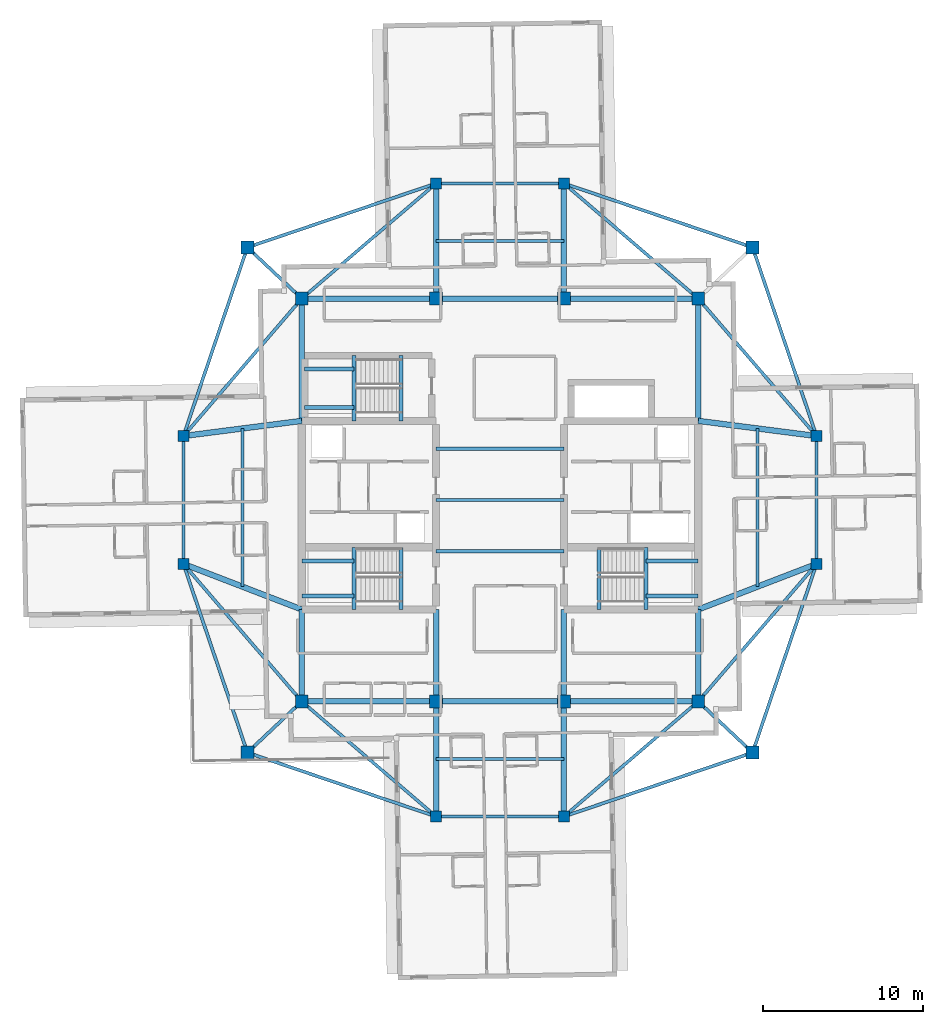
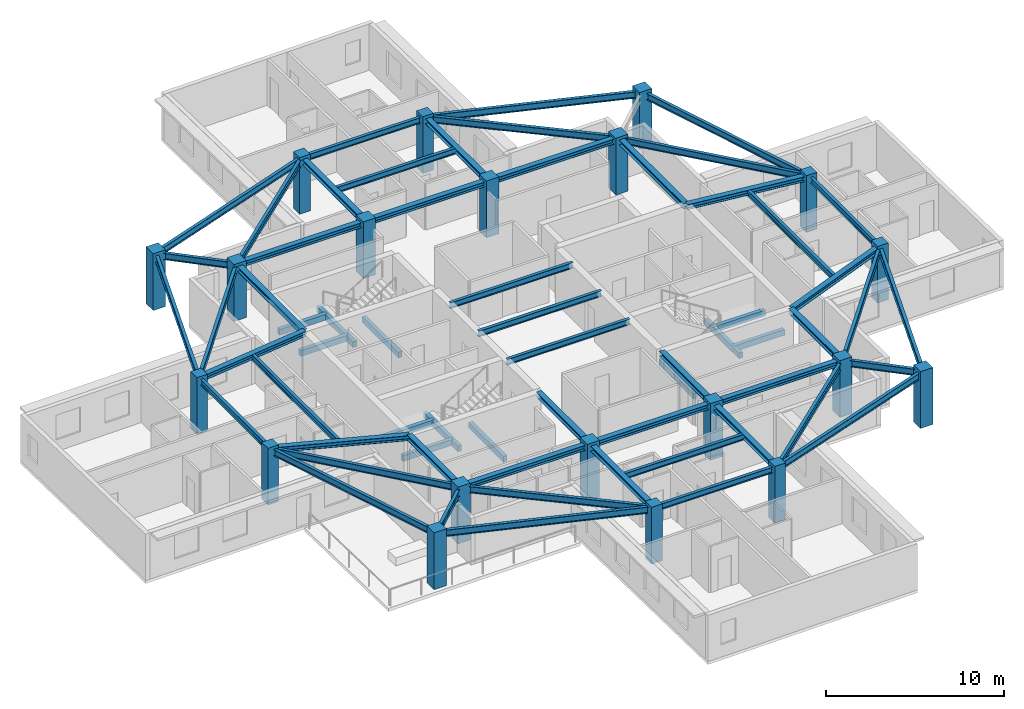
# One storey, part 1 of 12: 62 beams, 20 columns.
"""IFC4 building model written with IfcOpenShell, lengths in metres."""

from ifc_helpers import new_model, si_unit, direction, frame, origin, origin_2d, place, context, subcontext, project, spatial, rectangle, i_section, extrude, material, material_profile, profile_set, type_object, element, save


model = new_model("IFC4")

# Units and contexts
model_context = context("Model", 3, precision=1e-05, world=origin(), true_north=direction((0.0, 1.0)))
body_context = subcontext(model_context, "Body", "Model", "MODEL_VIEW")
ifc_project = project(units=[si_unit("LENGTHUNIT", "METRE"), si_unit("AREAUNIT", "SQUARE_METRE"), si_unit("VOLUMEUNIT", "CUBIC_METRE"), si_unit("PLANEANGLEUNIT", "RADIAN"), si_unit("MASSUNIT", "GRAM", prefix="KILO")], contexts=[model_context])

# Site, building, storey
site_placement = place(None, origin())
site = spatial("IfcSite", under=ifc_project, at=site_placement, CompositionType="ELEMENT")
building_placement = place(site_placement, origin())
building = spatial("IfcBuilding", under=site, at=building_placement, Name="Qingluan Cross Belvedere", CompositionType="ELEMENT")
storey_placement = place(building_placement, frame((0.0, 0.0, 269.39990234375)))
storey = spatial("IfcBuildingStorey", under=building, at=storey_placement, Name="L67", CompositionType="ELEMENT", Elevation=269.39990234375)

# Columns
ifc_material_1 = material(Name="Concrete C50", Category="concrete")
ifc_material_profile_1 = material_profile(ifc_material_1, rectangle(XDim=0.699951171875, YDim=0.699951171875, at=origin_2d()), Name="RC700x700")
ifc_profile_set_1 = profile_set([ifc_material_profile_1], Name="Concrete C50")
column_type_1 = type_object("IfcColumnType", Name="Column_RC700x700", PredefinedType="COLUMN", material=ifc_profile_set_1)
for number, where, z_axis, x_axis, name in (
    (1, (19.800048828125, -4.0, 0.0), (0.0, 0.0, 1.0), (1.0, 0.0, 0.0), "Arm column L67-EIA"),
    (2, (19.800048828125, 4.0, 0.0), (0.0, 0.0, 1.0), (1.0, 0.0, 0.0), "Arm column L67-EIB"),
    (3, (-19.800048828125, -4.0, 0.0), (0.0, 0.0, 1.0), (1.0, 0.0, 0.0), "Arm column L67-WIA"),
    (4, (-19.800048828125, 4.0, 0.0), (0.0, 0.0, 1.0), (1.0, 0.0, 0.0), "Arm column L67-WIB"),
    (5, (-4.0, -19.800048828125, 0.0), (0.0, 0.0, 1.0), (1.0, 0.0, 0.0), "Arm column L67-SIA"),
    (6, (4.0, -19.800048828125, 0.0), (0.0, 0.0, 1.0), (1.0, 0.0, 0.0), "Arm column L67-SIB"),
    (7, (-4.0, 19.800048828125, 0.0), (0.0, 0.0, 1.0), (1.0, 0.0, 0.0), "Arm column L67-NIA"),
    (8, (4.0, 19.800048828125, 0.0), (0.0, 0.0, 1.0), (1.0, 0.0, 0.0), "Arm column L67-NIB"),
):
    element("IfcColumn", number, at=place(storey_placement, frame(where, z_axis=z_axis, x_axis=x_axis)), inside=storey, type_object=column_type_1, Name=name, PredefinedType="COLUMN", context=body_context, shape_type="SweptSolid", body=[
        extrude(rectangle(XDim=0.699951171875, YDim=0.699951171875, at=origin_2d()), origin(), (0.0, 0.0, 1.0), 3.900146484375),
    ])
ifc_material_2 = material(Name="Concrete C50", Category="concrete")
ifc_material_profile_2 = material_profile(ifc_material_2, rectangle(XDim=0.800048828125, YDim=0.800048828125, at=origin_2d()), Name="RC800x800")
ifc_profile_set_2 = profile_set([ifc_material_profile_2], Name="Concrete C50")
column_type_2 = type_object("IfcColumnType", Name="Column_RC800x800", PredefinedType="COLUMN", material=ifc_profile_set_2)
for number, where, z_axis, x_axis, name in (
    (9, (15.800048828125, 15.800048828125, 0.0), (0.0, 0.0, 1.0), (1.0, 0.0, 0.0), "Corner column L67-RNE"),
    (10, (-15.800048828125, 15.800048828125, 0.0), (0.0, 0.0, 1.0), (1.0, 0.0, 0.0), "Corner column L67-RNW"),
    (11, (-15.800048828125, -15.800048828125, 0.0), (0.0, 0.0, 1.0), (1.0, 0.0, 0.0), "Corner column L67-RSW"),
    (12, (15.800048828125, -15.800048828125, 0.0), (0.0, 0.0, 1.0), (1.0, 0.0, 0.0), "Corner column L67-RSE"),
    (13, (-12.39990234375, -12.60009765625, 0.0), (0.0, 0.0, 1.0), (1.0, 0.0, 0.0), "Hub column L67-HC1"),
    (14, (12.39990234375, -12.60009765625, 0.0), (0.0, 0.0, 1.0), (1.0, 0.0, 0.0), "Hub column L67-HC2"),
    (15, (12.39990234375, 12.60009765625, 0.0), (0.0, 0.0, 1.0), (1.0, 0.0, 0.0), "Hub column L67-HC3"),
    (16, (-12.39990234375, 12.60009765625, 0.0), (0.0, 0.0, 1.0), (1.0, 0.0, 0.0), "Hub column L67-HC4"),
    (17, (-4.0, -12.60009765625, 0.0), (0.0, 0.0, 1.0), (1.0, 0.0, 0.0), "Hub column L67-HC5"),
    (18, (4.0, -12.60009765625, 0.0), (0.0, 0.0, 1.0), (1.0, 0.0, 0.0), "Hub column L67-HC6"),
    (19, (4.0, 12.60009765625, 0.0), (0.0, 0.0, 1.0), (1.0, 0.0, 0.0), "Hub column L67-HC7"),
    (20, (-4.0, 12.60009765625, 0.0), (0.0, 0.0, 1.0), (1.0, 0.0, 0.0), "Hub column L67-HC8"),
):
    element("IfcColumn", number, at=place(storey_placement, frame(where, z_axis=z_axis, x_axis=x_axis)), inside=storey, type_object=column_type_2, Name=name, PredefinedType="COLUMN", context=body_context, shape_type="SweptSolid", body=[
        extrude(rectangle(XDim=0.800048828125, YDim=0.800048828125, at=origin_2d()), origin(), (0.0, 0.0, 1.0), 3.900146484375),
    ])

# Beams
ifc_material_3 = material(Name="Concrete C45", Category="concrete")
ifc_material_profile_3 = material_profile(ifc_material_3, rectangle(XDim=0.25, YDim=0.39990234375, at=origin_2d()), Name="RC250x400")
ifc_profile_set_3 = profile_set([ifc_material_profile_3], Name="Concrete C45")
beam_type_1 = type_object("IfcBeamType", Name="RC_Lintel_RC250x400", PredefinedType="LINTEL", material=ifc_profile_set_3)
for number, where, z_axis, x_axis, name in (
    (21, (-6.179931640625, -6.85009765625, -0.199951171875), (0.0, 1.0, 0.0), (-1.0, 0.0, 0.0), "Stair ST1 landing beam L67"),
    (22, (6.179931640625, -6.85009765625, -0.199951171875), (0.0, 1.0, 0.0), (-1.0, 0.0, 0.0), "Stair ST2 landing beam L67"),
):
    element("IfcBeam", number, at=place(storey_placement, frame(where, z_axis=z_axis, x_axis=x_axis)), inside=storey, type_object=beam_type_1, Name=name, PredefinedType="LINTEL", context=body_context, shape_type="SweptSolid", body=[
        extrude(rectangle(XDim=0.25, YDim=0.39990234375, at=origin_2d()), origin(), (0.0, 0.0, 1.0), 3.89013671875),
    ])
beam_1_placement = place(storey_placement, frame((-6.179931640625, 4.949951171875, -0.199951171875), z_axis=(0.0, 1.0, 0.0), x_axis=(-1.0, 0.0, 0.0)))
element("IfcBeam", 23, at=beam_1_placement, inside=storey, type_object=beam_type_1, Name="Stair ST3 landing beam L67", PredefinedType="LINTEL", context=body_context, shape_type="SweptSolid", body=[
    extrude(rectangle(XDim=0.25, YDim=0.39990234375, at=origin_2d()), origin(), (0.0, 0.0, 1.0), 4.090087890625),
])
beam_2_placement = place(storey_placement, frame((-9.1298828125, -6.85009765625, 1.550048828125), z_axis=(0.0, 1.0, 0.0), x_axis=(-1.0, 0.0, 0.0)))
element("IfcBeam", 24, at=beam_2_placement, inside=storey, type_object=beam_type_1, Name="Stair ST1 beam A L67", PredefinedType="LINTEL", context=body_context, shape_type="SweptSolid", body=[
    extrude(rectangle(XDim=0.25, YDim=0.39990234375, at=origin_2d()), origin(), (0.0, 0.0, 1.0), 3.89013671875),
])
for number, where, z_axis, x_axis, name in (
    (25, (-12.39990234375, -6.0, 1.550048828125), (1.0, 0.0, 0.0), (0.0, 1.0, 0.0), "Stair ST1 beam B L67"),
    (26, (-12.39990234375, -3.81005859375, 1.550048828125), (1.0, 0.0, 0.0), (0.0, 1.0, 0.0), "Stair ST1 beam C L67"),
):
    element("IfcBeam", number, at=place(storey_placement, frame(where, z_axis=z_axis, x_axis=x_axis)), inside=storey, type_object=beam_type_1, Name=name, PredefinedType="LINTEL", context=body_context, shape_type="SweptSolid", body=[
        extrude(rectangle(XDim=0.25, YDim=0.39990234375, at=origin_2d()), origin(), (0.0, 0.0, 1.0), 3.27001953125),
    ])
beam_3_placement = place(storey_placement, frame((9.1298828125, -6.85009765625, 1.550048828125), z_axis=(0.0, 1.0, 0.0), x_axis=(-1.0, 0.0, 0.0)))
element("IfcBeam", 27, at=beam_3_placement, inside=storey, type_object=beam_type_1, Name="Stair ST2 beam A L67", PredefinedType="LINTEL", context=body_context, shape_type="SweptSolid", body=[
    extrude(rectangle(XDim=0.25, YDim=0.39990234375, at=origin_2d()), origin(), (0.0, 0.0, 1.0), 3.89013671875),
])
for number, where, z_axis, x_axis, name in (
    (28, (12.39990234375, -6.0, 1.550048828125), (-1.0, 0.0, 0.0), (0.0, -1.0, 0.0), "Stair ST2 beam B L67"),
    (29, (12.39990234375, -3.81005859375, 1.550048828125), (-1.0, 0.0, 0.0), (0.0, -1.0, 0.0), "Stair ST2 beam C L67"),
):
    element("IfcBeam", number, at=place(storey_placement, frame(where, z_axis=z_axis, x_axis=x_axis)), inside=storey, type_object=beam_type_1, Name=name, PredefinedType="LINTEL", context=body_context, shape_type="SweptSolid", body=[
        extrude(rectangle(XDim=0.25, YDim=0.39990234375, at=origin_2d()), origin(), (0.0, 0.0, 1.0), 3.27001953125),
    ])
beam_4_placement = place(storey_placement, frame((-9.1298828125, 4.949951171875, 1.550048828125), z_axis=(0.0, 1.0, 0.0), x_axis=(-1.0, 0.0, 0.0)))
element("IfcBeam", 30, at=beam_4_placement, inside=storey, type_object=beam_type_1, Name="Stair ST3 beam A L67", PredefinedType="LINTEL", context=body_context, shape_type="SweptSolid", body=[
    extrude(rectangle(XDim=0.25, YDim=0.39990234375, at=origin_2d()), origin(), (0.0, 0.0, 1.0), 4.090087890625),
])
for number, where, z_axis, x_axis, name in (
    (31, (-12.219970703125, 5.800048828125, 1.550048828125), (1.0, 0.0, 0.0), (0.0, 1.0, 0.0), "Stair ST3 beam B L67"),
    (32, (-12.219970703125, 8.18994140625, 1.550048828125), (1.0, 0.0, 0.0), (0.0, 1.0, 0.0), "Stair ST3 beam C L67"),
):
    element("IfcBeam", number, at=place(storey_placement, frame(where, z_axis=z_axis, x_axis=x_axis)), inside=storey, type_object=beam_type_1, Name=name, PredefinedType="LINTEL", context=body_context, shape_type="SweptSolid", body=[
        extrude(rectangle(XDim=0.25, YDim=0.39990234375, at=origin_2d()), origin(), (0.0, 0.0, 1.0), 3.090087890625),
    ])
ifc_material_4 = material(Name="Steel Q420GJB", Category="steel")
ifc_material_profile_4 = material_profile(ifc_material_4, i_section(OverallWidth=0.199951171875, OverallDepth=0.39990234375, WebThickness=0.008056640625, FlangeThickness=0.012939453125, FilletRadius=0.012939453125, at=origin_2d()), Name="HN400x200x8x13")
ifc_profile_set_4 = profile_set([ifc_material_profile_4], Name="Steel Q420GJB")
beam_type_2 = type_object("IfcBeamType", Name="Steel_Beam_HN400x200x8x13", PredefinedType="JOIST", material=ifc_profile_set_4)
for number, where, z_axis, x_axis, name in (
    (33, (-4.0, -3.199951171875, 3.5), (1.0, 0.0, 0.0), (0.0, 1.0, 0.0), "Hall beam L67-CH1"),
    (34, (-4.0, 0.0, 3.5), (1.0, 0.0, 0.0), (0.0, 1.0, 0.0), "Hall beam L67-CH2"),
    (35, (-4.0, 3.199951171875, 3.5), (1.0, 0.0, 0.0), (0.0, 1.0, 0.0), "Hall beam L67-CH3"),
    (36, (19.800048828125, -4.0, 3.5), (0.0, 1.0, 0.0), (-1.0, 0.0, 0.0), "Arm E tie L67"),
):
    element("IfcBeam", number, at=place(storey_placement, frame(where, z_axis=z_axis, x_axis=x_axis)), inside=storey, type_object=beam_type_2, Name=name, PredefinedType="JOIST", context=body_context, shape_type="SweptSolid", body=[
        extrude(i_section(OverallWidth=0.199951171875, OverallDepth=0.39990234375, WebThickness=0.008056640625, FlangeThickness=0.012939453125, FilletRadius=0.012939453125, at=origin_2d()), origin(), (0.0, 0.0, 1.0), 8.0),
    ])
beam_5_placement = place(storey_placement, frame((16.10009765625, -5.425048828125, 3.5), z_axis=(0.0, 1.0, 0.0), x_axis=(-1.0, 0.0, 0.0)))
element("IfcBeam", 37, at=beam_5_placement, inside=storey, type_object=beam_type_2, Name="Arm E beam L67", PredefinedType="JOIST", context=body_context, shape_type="SweptSolid", body=[
    extrude(i_section(OverallWidth=0.199951171875, OverallDepth=0.39990234375, WebThickness=0.008056640625, FlangeThickness=0.012939453125, FilletRadius=0.012939453125, at=origin_2d()), origin(), (0.0, 0.0, 1.0), 9.900146484375),
])
beam_6_placement = place(storey_placement, frame((-19.800048828125, -4.0, 3.5), z_axis=(0.0, 1.0, 0.0), x_axis=(-1.0, 0.0, 0.0)))
element("IfcBeam", 38, at=beam_6_placement, inside=storey, type_object=beam_type_2, Name="Arm W tie L67", PredefinedType="JOIST", context=body_context, shape_type="SweptSolid", body=[
    extrude(i_section(OverallWidth=0.199951171875, OverallDepth=0.39990234375, WebThickness=0.008056640625, FlangeThickness=0.012939453125, FilletRadius=0.012939453125, at=origin_2d()), origin(), (0.0, 0.0, 1.0), 8.0),
])
beam_7_placement = place(storey_placement, frame((-16.10009765625, -5.425048828125, 3.5), z_axis=(0.0, 1.0, 0.0), x_axis=(-1.0, 0.0, 0.0)))
element("IfcBeam", 39, at=beam_7_placement, inside=storey, type_object=beam_type_2, Name="Arm W beam L67", PredefinedType="JOIST", context=body_context, shape_type="SweptSolid", body=[
    extrude(i_section(OverallWidth=0.199951171875, OverallDepth=0.39990234375, WebThickness=0.008056640625, FlangeThickness=0.012939453125, FilletRadius=0.012939453125, at=origin_2d()), origin(), (0.0, 0.0, 1.0), 9.900146484375),
])
for number, where, z_axis, x_axis, name in (
    (40, (-4.0, 19.800048828125, 3.5), (1.0, 0.0, 0.0), (0.0, 1.0, 0.0), "Arm N tie L67"),
    (41, (-4.0, 16.199951171875, 3.5), (1.0, 0.0, 0.0), (0.0, 1.0, 0.0), "Arm N beam L67"),
    (42, (-4.0, -19.800048828125, 3.5), (1.0, 0.0, 0.0), (0.0, 1.0, 0.0), "Arm S tie L67"),
    (43, (-4.0, -16.199951171875, 3.5), (1.0, 0.0, 0.0), (0.0, 1.0, 0.0), "Arm S beam L67"),
):
    element("IfcBeam", number, at=place(storey_placement, frame(where, z_axis=z_axis, x_axis=x_axis)), inside=storey, type_object=beam_type_2, Name=name, PredefinedType="JOIST", context=body_context, shape_type="SweptSolid", body=[
        extrude(i_section(OverallWidth=0.199951171875, OverallDepth=0.39990234375, WebThickness=0.008056640625, FlangeThickness=0.012939453125, FilletRadius=0.012939453125, at=origin_2d()), origin(), (0.0, 0.0, 1.0), 8.0),
    ])
ifc_material_5 = material(Name="Steel Q420GJB", Category="steel")
ifc_material_profile_5 = material_profile(ifc_material_5, i_section(OverallWidth=0.199951171875, OverallDepth=0.449951171875, WebThickness=0.009033203125, FlangeThickness=0.013916015625, FilletRadius=0.01611328125, at=origin_2d()), Name="HN450x200x9x14")
ifc_profile_set_5 = profile_set([ifc_material_profile_5], Name="Steel Q420GJB")
beam_type_3 = type_object("IfcBeamType", Name="Steel_Beam_HN450x200x9x14", PredefinedType="JOIST", material=ifc_profile_set_5)
for number, where, z_axis, x_axis, name in (
    (44, (15.800048828125, 15.800048828125, 3.47509765625), (-0.947066283324, 0.321038089628, 0.0), (-0.321038089628, -0.947066283324, 0.0), "Corner beam 2 L67-RNE"),
    (45, (15.800048828125, 15.800048828125, 3.47509765625), (0.321038089628, -0.947066283324, 0.0), (0.947066283324, 0.321038089628, 0.0), "Corner beam 3 L67-RNE"),
):
    element("IfcBeam", number, at=place(storey_placement, frame(where, z_axis=z_axis, x_axis=x_axis)), inside=storey, type_object=beam_type_3, Name=name, PredefinedType="JOIST", context=body_context, shape_type="SweptSolid", body=[
        extrude(i_section(OverallWidth=0.199951171875, OverallDepth=0.449951171875, WebThickness=0.009033203125, FlangeThickness=0.013916015625, FilletRadius=0.01611328125, at=origin_2d()), origin(), (0.0, 0.0, 1.0), 12.45947265625),
    ])
beam_8_placement = place(storey_placement, frame((12.39990234375, 12.60009765625, 3.47509765625), z_axis=(0.652245077546, -0.75800815221, 0.0), x_axis=(0.75800815221, 0.652245077546, 0.0)))
element("IfcBeam", 46, at=beam_8_placement, inside=storey, type_object=beam_type_3, Name="Corner beam 4 L67-RNE", PredefinedType="JOIST", context=body_context, shape_type="SweptSolid", body=[
    extrude(i_section(OverallWidth=0.199951171875, OverallDepth=0.449951171875, WebThickness=0.009033203125, FlangeThickness=0.013916015625, FilletRadius=0.01611328125, at=origin_2d()), origin(), (0.0, 0.0, 1.0), 11.345703125),
])
beam_9_placement = place(storey_placement, frame((12.39990234375, 12.60009765625, 3.47509765625), z_axis=(-0.759255044656, 0.650793190779, 0.0), x_axis=(-0.650793190779, -0.759255044656, 0.0)))
element("IfcBeam", 47, at=beam_9_placement, inside=storey, type_object=beam_type_3, Name="Corner beam 5 L67-RNE", PredefinedType="JOIST", context=body_context, shape_type="SweptSolid", body=[
    extrude(i_section(OverallWidth=0.199951171875, OverallDepth=0.449951171875, WebThickness=0.009033203125, FlangeThickness=0.013916015625, FilletRadius=0.01611328125, at=origin_2d()), origin(), (0.0, 0.0, 1.0), 11.063232421875),
])
beam_10_placement = place(storey_placement, frame((-12.39990234375, 12.60009765625, 3.47509765625), z_axis=(-0.728219948308, 0.685343495546, 0.0), x_axis=(-0.685343495546, -0.728219948308, 0.0)))
element("IfcBeam", 48, at=beam_10_placement, inside=storey, type_object=beam_type_3, Name="Corner beam 1 L67-RNW", PredefinedType="JOIST", context=body_context, shape_type="SweptSolid", body=[
    extrude(i_section(OverallWidth=0.199951171875, OverallDepth=0.449951171875, WebThickness=0.009033203125, FlangeThickness=0.013916015625, FilletRadius=0.01611328125, at=origin_2d()), origin(), (0.0, 0.0, 1.0), 4.669189453125),
])
for number, where, z_axis, x_axis, name in (
    (49, (-15.800048828125, 15.800048828125, 3.47509765625), (0.947066283324, 0.321038089628, 0.0), (-0.321038089628, 0.947066283324, 0.0), "Corner beam 2 L67-RNW"),
    (50, (-15.800048828125, 15.800048828125, 3.47509765625), (-0.321038089628, -0.947066283324, 0.0), (0.947066283324, -0.321038089628, 0.0), "Corner beam 3 L67-RNW"),
):
    element("IfcBeam", number, at=place(storey_placement, frame(where, z_axis=z_axis, x_axis=x_axis)), inside=storey, type_object=beam_type_3, Name=name, PredefinedType="JOIST", context=body_context, shape_type="SweptSolid", body=[
        extrude(i_section(OverallWidth=0.199951171875, OverallDepth=0.449951171875, WebThickness=0.009033203125, FlangeThickness=0.013916015625, FilletRadius=0.01611328125, at=origin_2d()), origin(), (0.0, 0.0, 1.0), 12.45947265625),
    ])
beam_11_placement = place(storey_placement, frame((-12.39990234375, 12.60009765625, 3.47509765625), z_axis=(-0.652245077546, -0.75800815221, 0.0), x_axis=(0.75800815221, -0.652245077546, 0.0)))
element("IfcBeam", 51, at=beam_11_placement, inside=storey, type_object=beam_type_3, Name="Corner beam 4 L67-RNW", PredefinedType="JOIST", context=body_context, shape_type="SweptSolid", body=[
    extrude(i_section(OverallWidth=0.199951171875, OverallDepth=0.449951171875, WebThickness=0.009033203125, FlangeThickness=0.013916015625, FilletRadius=0.01611328125, at=origin_2d()), origin(), (0.0, 0.0, 1.0), 11.345703125),
])
beam_12_placement = place(storey_placement, frame((-12.39990234375, 12.60009765625, 3.47509765625), z_axis=(0.759255044656, 0.650793190779, 0.0), x_axis=(-0.650793190779, 0.759255044656, 0.0)))
element("IfcBeam", 52, at=beam_12_placement, inside=storey, type_object=beam_type_3, Name="Corner beam 5 L67-RNW", PredefinedType="JOIST", context=body_context, shape_type="SweptSolid", body=[
    extrude(i_section(OverallWidth=0.199951171875, OverallDepth=0.449951171875, WebThickness=0.009033203125, FlangeThickness=0.013916015625, FilletRadius=0.01611328125, at=origin_2d()), origin(), (0.0, 0.0, 1.0), 11.063232421875),
])
beam_13_placement = place(storey_placement, frame((-12.39990234375, -12.60009765625, 3.47509765625), z_axis=(-0.728219948308, -0.685343495546, 0.0), x_axis=(0.685343495546, -0.728219948308, 0.0)))
element("IfcBeam", 53, at=beam_13_placement, inside=storey, type_object=beam_type_3, Name="Corner beam 1 L67-RSW", PredefinedType="JOIST", context=body_context, shape_type="SweptSolid", body=[
    extrude(i_section(OverallWidth=0.199951171875, OverallDepth=0.449951171875, WebThickness=0.009033203125, FlangeThickness=0.013916015625, FilletRadius=0.01611328125, at=origin_2d()), origin(), (0.0, 0.0, 1.0), 4.669189453125),
])
for number, where, z_axis, x_axis, name in (
    (54, (-15.800048828125, -15.800048828125, 3.47509765625), (0.947066283324, -0.321038089628, 0.0), (0.321038089628, 0.947066283324, 0.0), "Corner beam 2 L67-RSW"),
    (55, (-15.800048828125, -15.800048828125, 3.47509765625), (-0.321038089628, 0.947066283324, 0.0), (-0.947066283324, -0.321038089628, 0.0), "Corner beam 3 L67-RSW"),
):
    element("IfcBeam", number, at=place(storey_placement, frame(where, z_axis=z_axis, x_axis=x_axis)), inside=storey, type_object=beam_type_3, Name=name, PredefinedType="JOIST", context=body_context, shape_type="SweptSolid", body=[
        extrude(i_section(OverallWidth=0.199951171875, OverallDepth=0.449951171875, WebThickness=0.009033203125, FlangeThickness=0.013916015625, FilletRadius=0.01611328125, at=origin_2d()), origin(), (0.0, 0.0, 1.0), 12.45947265625),
    ])
beam_14_placement = place(storey_placement, frame((-12.39990234375, -12.60009765625, 3.47509765625), z_axis=(-0.652245077546, 0.75800815221, 0.0), x_axis=(-0.75800815221, -0.652245077546, 0.0)))
element("IfcBeam", 56, at=beam_14_placement, inside=storey, type_object=beam_type_3, Name="Corner beam 4 L67-RSW", PredefinedType="JOIST", context=body_context, shape_type="SweptSolid", body=[
    extrude(i_section(OverallWidth=0.199951171875, OverallDepth=0.449951171875, WebThickness=0.009033203125, FlangeThickness=0.013916015625, FilletRadius=0.01611328125, at=origin_2d()), origin(), (0.0, 0.0, 1.0), 11.345703125),
])
beam_15_placement = place(storey_placement, frame((-12.39990234375, -12.60009765625, 3.47509765625), z_axis=(0.759255044656, -0.650793190779, 0.0), x_axis=(0.650793190779, 0.759255044656, 0.0)))
element("IfcBeam", 57, at=beam_15_placement, inside=storey, type_object=beam_type_3, Name="Corner beam 5 L67-RSW", PredefinedType="JOIST", context=body_context, shape_type="SweptSolid", body=[
    extrude(i_section(OverallWidth=0.199951171875, OverallDepth=0.449951171875, WebThickness=0.009033203125, FlangeThickness=0.013916015625, FilletRadius=0.01611328125, at=origin_2d()), origin(), (0.0, 0.0, 1.0), 11.063232421875),
])
beam_16_placement = place(storey_placement, frame((12.39990234375, -12.60009765625, 3.455078125), z_axis=(0.728219948308, -0.685343495546, 0.0), x_axis=(0.685343495546, 0.728219948308, 0.0)))
element("IfcBeam", 58, at=beam_16_placement, inside=storey, type_object=beam_type_3, Name="Corner beam 1 L67-RSE", PredefinedType="JOIST", context=body_context, shape_type="SweptSolid", body=[
    extrude(i_section(OverallWidth=0.199951171875, OverallDepth=0.449951171875, WebThickness=0.009033203125, FlangeThickness=0.013916015625, FilletRadius=0.01611328125, at=origin_2d()), origin(), (0.0, 0.0, 1.0), 4.669189453125),
])
for number, where, z_axis, x_axis, name in (
    (59, (15.800048828125, -15.800048828125, 3.455078125), (-0.947066283324, -0.321038089628, 0.0), (0.321038089628, -0.947066283324, 0.0), "Corner beam 2 L67-RSE"),
    (60, (15.800048828125, -15.800048828125, 3.455078125), (0.321038089628, 0.947066283324, 0.0), (-0.947066283324, 0.321038089628, 0.0), "Corner beam 3 L67-RSE"),
):
    element("IfcBeam", number, at=place(storey_placement, frame(where, z_axis=z_axis, x_axis=x_axis)), inside=storey, type_object=beam_type_3, Name=name, PredefinedType="JOIST", context=body_context, shape_type="SweptSolid", body=[
        extrude(i_section(OverallWidth=0.199951171875, OverallDepth=0.449951171875, WebThickness=0.009033203125, FlangeThickness=0.013916015625, FilletRadius=0.01611328125, at=origin_2d()), origin(), (0.0, 0.0, 1.0), 12.45947265625),
    ])
beam_17_placement = place(storey_placement, frame((12.39990234375, -12.60009765625, 3.455078125), z_axis=(0.652245077546, 0.75800815221, 0.0), x_axis=(-0.75800815221, 0.652245077546, 0.0)))
element("IfcBeam", 61, at=beam_17_placement, inside=storey, type_object=beam_type_3, Name="Corner beam 4 L67-RSE", PredefinedType="JOIST", context=body_context, shape_type="SweptSolid", body=[
    extrude(i_section(OverallWidth=0.199951171875, OverallDepth=0.449951171875, WebThickness=0.009033203125, FlangeThickness=0.013916015625, FilletRadius=0.01611328125, at=origin_2d()), origin(), (0.0, 0.0, 1.0), 11.345703125),
])
beam_18_placement = place(storey_placement, frame((12.39990234375, -12.60009765625, 3.455078125), z_axis=(-0.759255044656, -0.650793190779, 0.0), x_axis=(0.650793190779, -0.759255044656, 0.0)))
element("IfcBeam", 62, at=beam_18_placement, inside=storey, type_object=beam_type_3, Name="Corner beam 5 L67-RSE", PredefinedType="JOIST", context=body_context, shape_type="SweptSolid", body=[
    extrude(i_section(OverallWidth=0.199951171875, OverallDepth=0.449951171875, WebThickness=0.009033203125, FlangeThickness=0.013916015625, FilletRadius=0.01611328125, at=origin_2d()), origin(), (0.0, 0.0, 1.0), 11.063232421875),
])
ifc_material_6 = material(Name="Steel Q420GJB", Category="steel")
ifc_material_profile_6 = material_profile(ifc_material_6, i_section(OverallWidth=0.35009765625, OverallDepth=0.35009765625, WebThickness=0.011962890625, FlangeThickness=0.01904296875, FilletRadius=0.02001953125, at=origin_2d()), Name="HW350x350x12x19")
ifc_profile_set_6 = profile_set([ifc_material_profile_6], Name="Steel Q420GJB")
beam_type_4 = type_object("IfcBeamType", Name="Steel_Girder_HW350x350x12x19", PredefinedType="USERDEFINED", material=ifc_profile_set_6)
beam_19_placement = place(storey_placement, frame((-12.39990234375, -12.60009765625, 3.525146484375), z_axis=(1.0, 0.0, 0.0), x_axis=(0.0, 1.0, 0.0)))
element("IfcBeam", 63, at=beam_19_placement, inside=storey, type_object=beam_type_4, Name="Hub girder L67-HG-S1", ObjectType="GIRDER", PredefinedType="USERDEFINED", context=body_context, shape_type="SweptSolid", body=[
    extrude(i_section(OverallWidth=0.35009765625, OverallDepth=0.35009765625, WebThickness=0.011962890625, FlangeThickness=0.01904296875, FilletRadius=0.02001953125, at=origin_2d()), origin(), (0.0, 0.0, 1.0), 8.39990234375),
])
beam_20_placement = place(storey_placement, frame((-4.0, -12.60009765625, 3.525146484375), z_axis=(1.0, 0.0, 0.0), x_axis=(0.0, 1.0, 0.0)))
element("IfcBeam", 64, at=beam_20_placement, inside=storey, type_object=beam_type_4, Name="Hub girder L67-HG-S2", ObjectType="GIRDER", PredefinedType="USERDEFINED", context=body_context, shape_type="SweptSolid", body=[
    extrude(i_section(OverallWidth=0.35009765625, OverallDepth=0.35009765625, WebThickness=0.011962890625, FlangeThickness=0.01904296875, FilletRadius=0.02001953125, at=origin_2d()), origin(), (0.0, 0.0, 1.0), 8.0),
])
for number, where, z_axis, x_axis, name in (
    (65, (4.0, -12.60009765625, 3.525146484375), (1.0, 0.0, 0.0), (0.0, 1.0, 0.0), "Hub girder L67-HG-S3"),
    (66, (-12.39990234375, 12.60009765625, 3.525146484375), (1.0, 0.0, 0.0), (0.0, 1.0, 0.0), "Hub girder L67-HG-N1"),
):
    element("IfcBeam", number, at=place(storey_placement, frame(where, z_axis=z_axis, x_axis=x_axis)), inside=storey, type_object=beam_type_4, Name=name, ObjectType="GIRDER", PredefinedType="USERDEFINED", context=body_context, shape_type="SweptSolid", body=[
        extrude(i_section(OverallWidth=0.35009765625, OverallDepth=0.35009765625, WebThickness=0.011962890625, FlangeThickness=0.01904296875, FilletRadius=0.02001953125, at=origin_2d()), origin(), (0.0, 0.0, 1.0), 8.39990234375),
    ])
beam_21_placement = place(storey_placement, frame((-4.0, 12.60009765625, 3.525146484375), z_axis=(1.0, 0.0, 0.0), x_axis=(0.0, 1.0, 0.0)))
element("IfcBeam", 67, at=beam_21_placement, inside=storey, type_object=beam_type_4, Name="Hub girder L67-HG-N2", ObjectType="GIRDER", PredefinedType="USERDEFINED", context=body_context, shape_type="SweptSolid", body=[
    extrude(i_section(OverallWidth=0.35009765625, OverallDepth=0.35009765625, WebThickness=0.011962890625, FlangeThickness=0.01904296875, FilletRadius=0.02001953125, at=origin_2d()), origin(), (0.0, 0.0, 1.0), 8.0),
])
beam_22_placement = place(storey_placement, frame((4.0, 12.60009765625, 3.525146484375), z_axis=(1.0, 0.0, 0.0), x_axis=(0.0, 1.0, 0.0)))
element("IfcBeam", 68, at=beam_22_placement, inside=storey, type_object=beam_type_4, Name="Hub girder L67-HG-N3", ObjectType="GIRDER", PredefinedType="USERDEFINED", context=body_context, shape_type="SweptSolid", body=[
    extrude(i_section(OverallWidth=0.35009765625, OverallDepth=0.35009765625, WebThickness=0.011962890625, FlangeThickness=0.01904296875, FilletRadius=0.02001953125, at=origin_2d()), origin(), (0.0, 0.0, 1.0), 8.39990234375),
])
beam_23_placement = place(storey_placement, frame((-12.39990234375, -12.60009765625, 3.525146484375), z_axis=(0.0, 1.0, 0.0), x_axis=(-1.0, 0.0, 0.0)))
element("IfcBeam", 69, at=beam_23_placement, inside=storey, type_object=beam_type_4, Name="Hub girder L67-HG-W1", ObjectType="GIRDER", PredefinedType="USERDEFINED", context=body_context, shape_type="SweptSolid", body=[
    extrude(i_section(OverallWidth=0.35009765625, OverallDepth=0.35009765625, WebThickness=0.011962890625, FlangeThickness=0.01904296875, FilletRadius=0.02001953125, at=origin_2d()), origin(), (0.0, 0.0, 1.0), 5.75),
])
beam_24_placement = place(storey_placement, frame((-12.39990234375, 4.949951171875, 3.525146484375), z_axis=(0.0, 1.0, 0.0), x_axis=(-1.0, 0.0, 0.0)))
element("IfcBeam", 70, at=beam_24_placement, inside=storey, type_object=beam_type_4, Name="Hub girder L67-HG-W2", ObjectType="GIRDER", PredefinedType="USERDEFINED", context=body_context, shape_type="SweptSolid", body=[
    extrude(i_section(OverallWidth=0.35009765625, OverallDepth=0.35009765625, WebThickness=0.011962890625, FlangeThickness=0.01904296875, FilletRadius=0.02001953125, at=origin_2d()), origin(), (0.0, 0.0, 1.0), 7.650146484375),
])
beam_25_placement = place(storey_placement, frame((12.39990234375, -12.60009765625, 3.525146484375), z_axis=(0.0, 1.0, 0.0), x_axis=(-1.0, 0.0, 0.0)))
element("IfcBeam", 71, at=beam_25_placement, inside=storey, type_object=beam_type_4, Name="Hub girder L67-HG-E1", ObjectType="GIRDER", PredefinedType="USERDEFINED", context=body_context, shape_type="SweptSolid", body=[
    extrude(i_section(OverallWidth=0.35009765625, OverallDepth=0.35009765625, WebThickness=0.011962890625, FlangeThickness=0.01904296875, FilletRadius=0.02001953125, at=origin_2d()), origin(), (0.0, 0.0, 1.0), 5.75),
])
beam_26_placement = place(storey_placement, frame((12.39990234375, 4.949951171875, 3.525146484375), z_axis=(0.0, 1.0, 0.0), x_axis=(-1.0, 0.0, 0.0)))
element("IfcBeam", 72, at=beam_26_placement, inside=storey, type_object=beam_type_4, Name="Hub girder L67-HG-E2", ObjectType="GIRDER", PredefinedType="USERDEFINED", context=body_context, shape_type="SweptSolid", body=[
    extrude(i_section(OverallWidth=0.35009765625, OverallDepth=0.35009765625, WebThickness=0.011962890625, FlangeThickness=0.01904296875, FilletRadius=0.02001953125, at=origin_2d()), origin(), (0.0, 0.0, 1.0), 7.650146484375),
])
for number, where, z_axis, x_axis, name in (
    (73, (-4.0, -12.60009765625, 3.525146484375), (0.0, 1.0, 0.0), (-1.0, 0.0, 0.0), "Hub girder L67-HG-CW"),
    (74, (4.0, -12.60009765625, 3.525146484375), (0.0, 1.0, 0.0), (-1.0, 0.0, 0.0), "Hub girder L67-HG-CE"),
):
    element("IfcBeam", number, at=place(storey_placement, frame(where, z_axis=z_axis, x_axis=x_axis)), inside=storey, type_object=beam_type_4, Name=name, ObjectType="GIRDER", PredefinedType="USERDEFINED", context=body_context, shape_type="SweptSolid", body=[
        extrude(i_section(OverallWidth=0.35009765625, OverallDepth=0.35009765625, WebThickness=0.011962890625, FlangeThickness=0.01904296875, FilletRadius=0.02001953125, at=origin_2d()), origin(), (0.0, 0.0, 1.0), 5.75),
    ])
beam_27_placement = place(storey_placement, frame((12.39990234375, -6.85009765625, 3.525146484375), z_axis=(0.933181258889, 0.359406090735, 0.0), x_axis=(-0.359406090735, 0.933181258889, 0.0)))
element("IfcBeam", 75, at=beam_27_placement, inside=storey, type_object=beam_type_4, Name="Arm E radial girder A L67", ObjectType="GIRDER", PredefinedType="USERDEFINED", context=body_context, shape_type="SweptSolid", body=[
    extrude(i_section(OverallWidth=0.35009765625, OverallDepth=0.35009765625, WebThickness=0.011962890625, FlangeThickness=0.01904296875, FilletRadius=0.02001953125, at=origin_2d()), origin(), (0.0, 0.0, 1.0), 7.929931640625),
])
beam_28_placement = place(storey_placement, frame((12.39990234375, 4.949951171875, 3.525146484375), z_axis=(0.991861120628, -0.12732445714, 0.0), x_axis=(0.12732445714, 0.991861120628, 0.0)))
element("IfcBeam", 76, at=beam_28_placement, inside=storey, type_object=beam_type_4, Name="Arm E radial girder B L67", ObjectType="GIRDER", PredefinedType="USERDEFINED", context=body_context, shape_type="SweptSolid", body=[
    extrude(i_section(OverallWidth=0.35009765625, OverallDepth=0.35009765625, WebThickness=0.011962890625, FlangeThickness=0.01904296875, FilletRadius=0.02001953125, at=origin_2d()), origin(), (0.0, 0.0, 1.0), 7.4609375),
])
beam_29_placement = place(storey_placement, frame((-12.39990234375, -6.85009765625, 3.525146484375), z_axis=(-0.933181258889, 0.359406090735, 0.0), x_axis=(-0.359406090735, -0.933181258889, 0.0)))
element("IfcBeam", 77, at=beam_29_placement, inside=storey, type_object=beam_type_4, Name="Arm W radial girder A L67", ObjectType="GIRDER", PredefinedType="USERDEFINED", context=body_context, shape_type="SweptSolid", body=[
    extrude(i_section(OverallWidth=0.35009765625, OverallDepth=0.35009765625, WebThickness=0.011962890625, FlangeThickness=0.01904296875, FilletRadius=0.02001953125, at=origin_2d()), origin(), (0.0, 0.0, 1.0), 7.929931640625),
])
beam_30_placement = place(storey_placement, frame((-12.39990234375, 4.949951171875, 3.525146484375), z_axis=(-0.991861120628, -0.12732445714, 0.0), x_axis=(0.12732445714, -0.991861120628, 0.0)))
element("IfcBeam", 78, at=beam_30_placement, inside=storey, type_object=beam_type_4, Name="Arm W radial girder B L67", ObjectType="GIRDER", PredefinedType="USERDEFINED", context=body_context, shape_type="SweptSolid", body=[
    extrude(i_section(OverallWidth=0.35009765625, OverallDepth=0.35009765625, WebThickness=0.011962890625, FlangeThickness=0.01904296875, FilletRadius=0.02001953125, at=origin_2d()), origin(), (0.0, 0.0, 1.0), 7.4609375),
])
for number, where, z_axis, x_axis, name in (
    (79, (-4.0, 12.60009765625, 3.525146484375), (0.0, 1.0, 0.0), (-1.0, 0.0, 0.0), "Arm N radial girder A L67"),
    (80, (4.0, 12.60009765625, 3.525146484375), (0.0, 1.0, 0.0), (-1.0, 0.0, 0.0), "Arm N radial girder B L67"),
    (81, (-4.0, -12.60009765625, 3.525146484375), (0.0, -1.0, 0.0), (1.0, 0.0, 0.0), "Arm S radial girder A L67"),
    (82, (4.0, -12.60009765625, 3.525146484375), (0.0, -1.0, 0.0), (1.0, 0.0, 0.0), "Arm S radial girder B L67"),
):
    element("IfcBeam", number, at=place(storey_placement, frame(where, z_axis=z_axis, x_axis=x_axis)), inside=storey, type_object=beam_type_4, Name=name, ObjectType="GIRDER", PredefinedType="USERDEFINED", context=body_context, shape_type="SweptSolid", body=[
        extrude(i_section(OverallWidth=0.35009765625, OverallDepth=0.35009765625, WebThickness=0.011962890625, FlangeThickness=0.01904296875, FilletRadius=0.02001953125, at=origin_2d()), origin(), (0.0, 0.0, 1.0), 7.199951171875),
    ])

save(model, "model.ifc")
